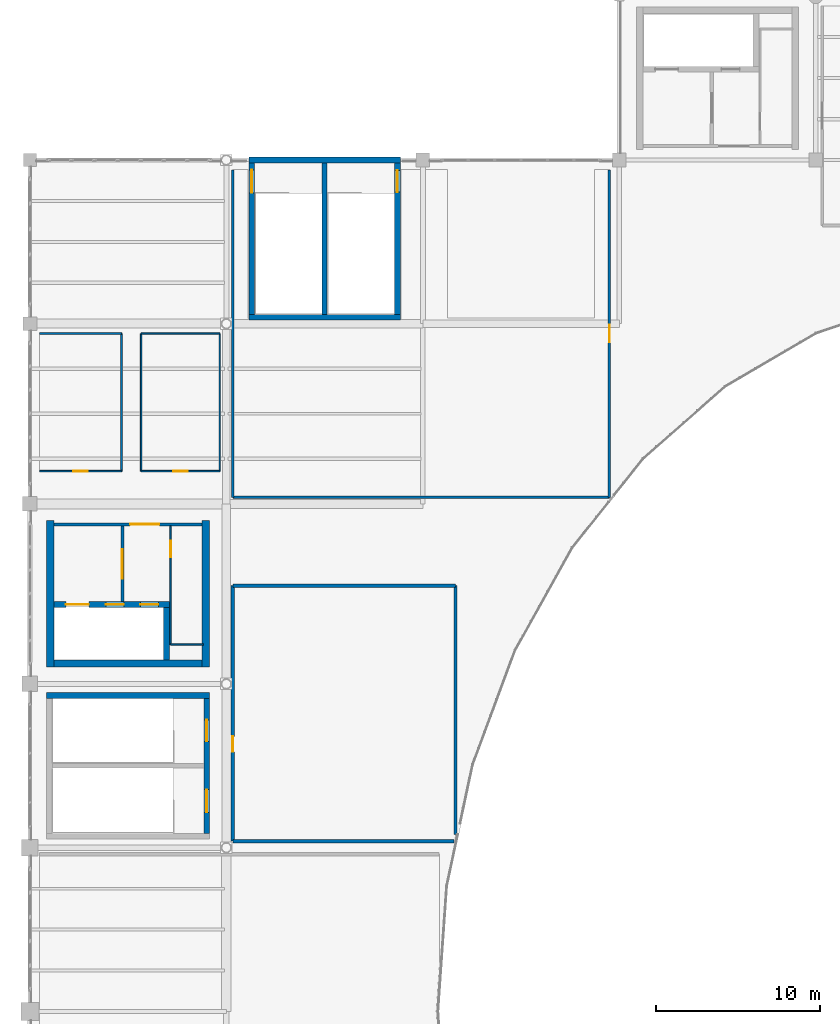
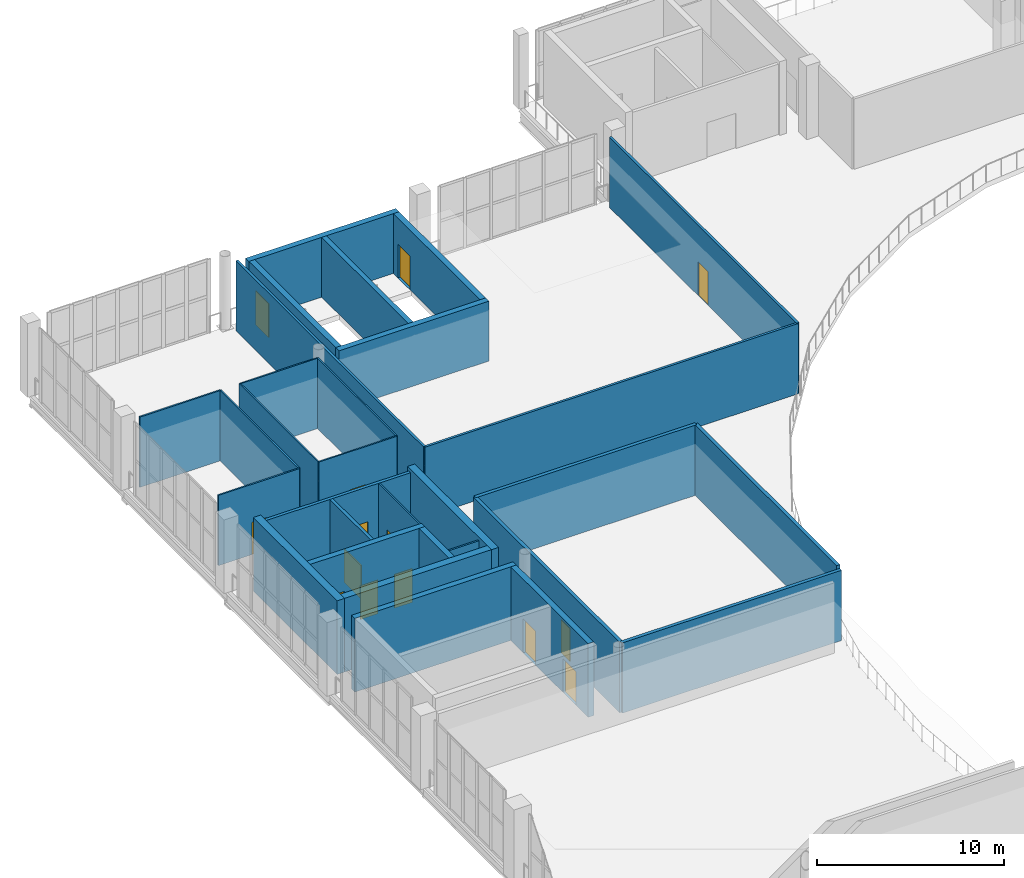
# One storey, part 39 of 49: 30 walls, 14 doors, 14 openings.
"""IFC4 building model written with IfcOpenShell, lengths in metres."""

from ifc_helpers import new_model, si_unit, direction, frame, frame_2d, origin, place, context, subcontext, project, spatial, rectangle, extrude, material, layer, layer_set, type_object, element, fill, save


model = new_model("IFC4")

# Units and contexts
model_context = context("Model", 3, precision=1e-05, world=origin(), true_north=direction((0.0, 1.0)))
body_context = subcontext(model_context, "Body", "Model", "MODEL_VIEW")
ifc_project = project(units=[si_unit("LENGTHUNIT", "METRE"), si_unit("AREAUNIT", "SQUARE_METRE"), si_unit("VOLUMEUNIT", "CUBIC_METRE"), si_unit("PLANEANGLEUNIT", "RADIAN"), si_unit("MASSUNIT", "GRAM", prefix="KILO")], contexts=[model_context])

# Site, building, storey
site_placement = place(None, origin())
site = spatial("IfcSite", under=ifc_project, at=site_placement, CompositionType="ELEMENT")
building_placement = place(site_placement, origin())
building = spatial("IfcBuilding", under=site, at=building_placement, Name="Brinegate Civic Arena", CompositionType="ELEMENT")
storey_placement = place(building_placement, frame((0.0, 0.0, 24.60009765625)))
storey = spatial("IfcBuildingStorey", under=building, at=storey_placement, Name="L05", CompositionType="ELEMENT", Elevation=24.60009765625)

# Wall
ifc_material_1 = material(Name="Concrete C50/60", Category="concrete")
ifc_layer_1 = layer(ifc_material_1, 0.35009765625, Name="Concrete C50/60")
ifc_layer_set_1 = layer_set([ifc_layer_1], Name="Concrete C50/60")
wall_type_1 = type_object("IfcWallType", Name="WALL-CORE-SHEAR-350", PredefinedType="SHEAR", material=ifc_layer_set_1)
wall_1_placement = place(storey_placement, frame((61.375, 104.39990234375, 0.0), z_axis=(0.0, 0.0, 1.0), x_axis=(1.0, 0.0, 0.0)))
element("IfcWall", 1, at=wall_1_placement, inside=storey, type_object=wall_type_1, Name="Stair ST-01 South Shear Wall L05 (WBB-27)", PredefinedType="SHEAR", context=body_context, shape_type="SweptSolid", body=[
    extrude(rectangle(XDim=9.25, YDim=0.35009765625, at=frame_2d((4.625, 0.0))), origin(), (0.0, 0.0, 1.0), 3.89990234375),
])

# Wall, opening, door
wall_2_placement = place(storey_placement, frame((61.550048828125, 104.574951171875, 0.0), z_axis=(0.0, 0.0, 1.0), x_axis=(0.0, 1.0, 0.0)))
wall_2 = element("IfcWall", 2, at=wall_2_placement, inside=storey, type_object=wall_type_1, Name="Stair ST-01 West Shear Wall L05 (WBB-29)", PredefinedType="SHEAR", context=body_context, shape_type="SweptSolid", body=[
    extrude(rectangle(XDim=9.25, YDim=0.35009765625, at=frame_2d((4.625, 0.0))), origin(), (0.0, 0.0, 1.0), 3.89990234375),
])
opening_1_placement = place(wall_2_placement, frame((7.425048828125, 0.0, 0.0)))
opening_1 = element("IfcOpeningElement", 3, at=opening_1_placement, cuts=wall_2, Name="Opening D-ST01A-L05", PredefinedType="OPENING", context=body_context, shape_type="SweptSolid", body=[
    extrude(rectangle(XDim=1.39990234375, YDim=2.199951171875, at=frame_2d((0.699951171875, 1.10009765625))), frame((0.0, 0.18505859375, 0.0), z_axis=(0.0, -1.0, 0.0), x_axis=(1.0, 0.0, 0.0)), (0.0, 0.0, 1.0), 0.3701171875),
])
ifc_material_2 = material(Name="Galvanized hurricane steel", Category="steel")
door_type_1 = type_object("IfcDoorType", Name="DOOR-STAIR-2400X2200", OperationType="NOTDEFINED", PredefinedType="DOOR", material=ifc_material_2)
door_1_placement = place(opening_1_placement, frame((1.39990234375, 0.0, 0.0), z_axis=(0.0, 0.0, 1.0), x_axis=(-1.0, 0.0, 0.0)))
door_1 = element("IfcDoor", 4, at=door_1_placement, inside=storey, type_object=door_type_1, Name="Protected Exit Stair Door D-ST01A-L05", OperationType="DOUBLE_DOOR_SINGLE_SWING", OverallHeight=2.199951171875, OverallWidth=1.39990234375, PredefinedType="DOOR", context=body_context, shape_type="SweptSolid", body=[
    extrude(rectangle(XDim=1.39990234375, YDim=2.199951171875, at=frame_2d((0.699951171875, 1.10009765625))), frame((0.0, 0.02490234375, 0.0), z_axis=(0.0, -1.0, 0.0), x_axis=(1.0, 0.0, 0.0)), (0.0, 0.0, 1.0), 0.050048828125),
])
fill(opening_1, door_1)

wall_3_placement = place(storey_placement, frame((70.449951171875, 104.574951171875, 0.0), z_axis=(0.0, 0.0, 1.0), x_axis=(0.0, 1.0, 0.0)))
wall_3 = element("IfcWall", 5, at=wall_3_placement, inside=storey, type_object=wall_type_1, Name="Stair ST-01 East Shear Wall L05 (WBB-30)", PredefinedType="SHEAR", context=body_context, shape_type="SweptSolid", body=[
    extrude(rectangle(XDim=9.25, YDim=0.35009765625, at=frame_2d((4.625, 0.0))), origin(), (0.0, 0.0, 1.0), 3.89990234375),
])
opening_2_placement = place(wall_3_placement, frame((7.465087890625, 0.0, 0.0)))
opening_2 = element("IfcOpeningElement", 6, at=opening_2_placement, cuts=wall_3, Name="Opening D-ST01B-L05", PredefinedType="OPENING", context=body_context, shape_type="SweptSolid", body=[
    extrude(rectangle(XDim=1.320068359375, YDim=2.199951171875, at=frame_2d((0.66015625, 1.10009765625))), frame((0.0, 0.18505859375, 0.0), z_axis=(0.0, -1.0, 0.0), x_axis=(1.0, 0.0, 0.0)), (0.0, 0.0, 1.0), 0.3701171875),
])
door_type_2 = type_object("IfcDoorType", Name="DOOR-STAIR-2200X2200", OperationType="NOTDEFINED", PredefinedType="DOOR", material=ifc_material_2)
door_2_placement = place(opening_2_placement, origin())
door_2 = element("IfcDoor", 7, at=door_2_placement, inside=storey, type_object=door_type_2, Name="Protected Exit Stair Door D-ST01B-L05", OperationType="DOUBLE_DOOR_SINGLE_SWING", OverallHeight=2.199951171875, OverallWidth=1.320068359375, PredefinedType="DOOR", context=body_context, shape_type="SweptSolid", body=[
    extrude(rectangle(XDim=1.320068359375, YDim=2.199951171875, at=frame_2d((0.66015625, 1.10009765625))), frame((0.0, 0.02490234375, 0.0), z_axis=(0.0, -1.0, 0.0), x_axis=(1.0, 0.0, 0.0)), (0.0, 0.0, 1.0), 0.050048828125),
])
fill(opening_2, door_2)

# Wall
wall_4_placement = place(storey_placement, frame((49.02490234375, 81.300048828125, 0.0), z_axis=(0.0, 0.0, 1.0), x_axis=(1.0, 0.0, 0.0)))
element("IfcWall", 8, at=wall_4_placement, inside=storey, type_object=wall_type_1, Name="Stair ST-07 North Shear Wall L05 (WBC-94)", PredefinedType="SHEAR", context=body_context, shape_type="SweptSolid", body=[
    extrude(rectangle(XDim=9.9501953125, YDim=0.35009765625, at=frame_2d((4.97509765625, 0.0))), origin(), (0.0, 0.0, 1.0), 4.7998046875),
])

# Wall, openings, doors
wall_5_placement = place(storey_placement, frame((58.800048828125, 72.875, 0.0), z_axis=(0.0, 0.0, 1.0), x_axis=(0.0, 1.0, 0.0)))
wall_5 = element("IfcWall", 9, at=wall_5_placement, inside=storey, type_object=wall_type_1, Name="Stair ST-07 East Shear Wall L05 (WBC-96)", PredefinedType="SHEAR", context=body_context, shape_type="SweptSolid", body=[
    extrude(rectangle(XDim=8.25, YDim=0.35009765625, at=frame_2d((4.125, 0.0))), origin(), (0.0, 0.0, 1.0), 4.7998046875),
])
opening_3_placement = place(wall_5_placement, frame((1.27490234375, 0.0, 0.0)))
opening_3 = element("IfcOpeningElement", 10, at=opening_3_placement, cuts=wall_5, Name="Opening D-ST07A-L05", PredefinedType="OPENING", context=body_context, shape_type="SweptSolid", body=[
    extrude(rectangle(XDim=1.39990234375, YDim=2.199951171875, at=frame_2d((0.699951171875, 1.10009765625))), frame((0.0, 0.18505859375, 0.0), z_axis=(0.0, -1.0, 0.0), x_axis=(1.0, 0.0, 0.0)), (0.0, 0.0, 1.0), 0.3701171875),
])
opening_4_placement = place(wall_5_placement, frame((5.614990234375, 0.0, 0.0)))
opening_4 = element("IfcOpeningElement", 11, at=opening_4_placement, cuts=wall_5, Name="Opening D-ST07B-L05", PredefinedType="OPENING", context=body_context, shape_type="SweptSolid", body=[
    extrude(rectangle(XDim=1.320068359375, YDim=2.199951171875, at=frame_2d((0.66015625, 1.10009765625))), frame((0.0, 0.18505859375, 0.0), z_axis=(0.0, -1.0, 0.0), x_axis=(1.0, 0.0, 0.0)), (0.0, 0.0, 1.0), 0.3701171875),
])
door_3_placement = place(opening_4_placement, origin())
door_3 = element("IfcDoor", 12, at=door_3_placement, inside=storey, type_object=door_type_2, Name="Protected Exit Stair Door D-ST07B-L05", OperationType="DOUBLE_DOOR_SINGLE_SWING", OverallHeight=2.199951171875, OverallWidth=1.320068359375, PredefinedType="DOOR", context=body_context, shape_type="SweptSolid", body=[
    extrude(rectangle(XDim=1.320068359375, YDim=2.199951171875, at=frame_2d((0.66015625, 1.10009765625))), frame((0.0, 0.02490234375, 0.0), z_axis=(0.0, -1.0, 0.0), x_axis=(1.0, 0.0, 0.0)), (0.0, 0.0, 1.0), 0.050048828125),
])
fill(opening_4, door_3)
door_4_placement = place(opening_3_placement, origin())
door_4 = element("IfcDoor", 13, at=door_4_placement, inside=storey, type_object=door_type_1, Name="Protected Exit Stair Door D-ST07A-L05", OperationType="DOUBLE_DOOR_SINGLE_SWING", OverallHeight=2.199951171875, OverallWidth=1.39990234375, PredefinedType="DOOR", context=body_context, shape_type="SweptSolid", body=[
    extrude(rectangle(XDim=1.39990234375, YDim=2.199951171875, at=frame_2d((0.699951171875, 1.10009765625))), frame((0.0, 0.02490234375, 0.0), z_axis=(0.0, -1.0, 0.0), x_axis=(1.0, 0.0, 0.0)), (0.0, 0.0, 1.0), 0.050048828125),
])
fill(opening_3, door_4)

wall_6_placement = place(storey_placement, frame((49.47509765625, 86.85009765625, 0.0), z_axis=(0.0, 0.0, 1.0), x_axis=(1.0, 0.0, 0.0)))
wall_6 = element("IfcWall", 14, at=wall_6_placement, inside=storey, type_object=wall_type_1, Name="Core K1 Lift Shaft Front Wall L05 (WBF-84)", PredefinedType="SHEAR", context=body_context, shape_type="SweptSolid", body=[
    extrude(rectangle(XDim=7.0498046875, YDim=0.35009765625, at=frame_2d((3.52490234375, 0.0))), origin(), (0.0, 0.0, 1.0), 4.7998046875),
])
opening_5_placement = place(wall_6_placement, frame((0.72509765625, 0.0, 0.0)))
opening_5 = element("IfcOpeningElement", 15, at=opening_5_placement, cuts=wall_6, Name="Opening LD-FL1-L05", PredefinedType="OPENING", context=body_context, shape_type="SweptSolid", body=[
    extrude(rectangle(XDim=1.39990234375, YDim=2.300048828125, at=frame_2d((0.699951171875, 1.14990234375))), frame((0.0, 0.18505859375, 0.0), z_axis=(0.0, -1.0, 0.0), x_axis=(1.0, 0.0, 0.0)), (0.0, 0.0, 1.0), 0.3701171875),
])
opening_6_placement = place(wall_6_placement, frame((3.175048828125, 0.0, 0.0)))
opening_6 = element("IfcOpeningElement", 16, at=opening_6_placement, cuts=wall_6, Name="Opening LD-PL1-L05", PredefinedType="OPENING", context=body_context, shape_type="SweptSolid", body=[
    extrude(rectangle(XDim=1.10009765625, YDim=2.199951171875, at=frame_2d((0.550048828125, 1.10009765625))), frame((0.0, 0.18505859375, 0.0), z_axis=(0.0, -1.0, 0.0), x_axis=(1.0, 0.0, 0.0)), (0.0, 0.0, 1.0), 0.3701171875),
])
opening_7_placement = place(wall_6_placement, frame((5.27490234375, 0.0, 0.0)))
opening_7 = element("IfcOpeningElement", 17, at=opening_7_placement, cuts=wall_6, Name="Opening LD-PL2-L05", PredefinedType="OPENING", context=body_context, shape_type="SweptSolid", body=[
    extrude(rectangle(XDim=1.10009765625, YDim=2.199951171875, at=frame_2d((0.550048828125, 1.10009765625))), frame((0.0, 0.18505859375, 0.0), z_axis=(0.0, -1.0, 0.0), x_axis=(1.0, 0.0, 0.0)), (0.0, 0.0, 1.0), 0.3701171875),
])
ifc_material_3 = material(Name="Architectural stainless steel balustrade", Category="steel")
door_type_3 = type_object("IfcDoorType", Name="DOOR-LIFT-1100X2200", OperationType="SLIDING_TO_LEFT", PredefinedType="DOOR", material=ifc_material_3)
door_5_placement = place(opening_6_placement, origin())
door_5 = element("IfcDoor", 18, at=door_5_placement, inside=storey, type_object=door_type_3, Name="Sliding Lift Landing Door LD-PL1-L05", OperationType="SLIDING_TO_LEFT", OverallHeight=2.199951171875, OverallWidth=1.10009765625, PredefinedType="DOOR", context=body_context, shape_type="SweptSolid", body=[
    extrude(rectangle(XDim=1.10009765625, YDim=2.199951171875, at=frame_2d((0.550048828125, 1.10009765625))), frame((0.0, 0.02490234375, 0.0), z_axis=(0.0, -1.0, 0.0), x_axis=(1.0, 0.0, 0.0)), (0.0, 0.0, 1.0), 0.050048828125),
])
fill(opening_6, door_5)
door_6_placement = place(opening_7_placement, origin())
door_6 = element("IfcDoor", 19, at=door_6_placement, inside=storey, type_object=door_type_3, Name="Sliding Lift Landing Door LD-PL2-L05", OperationType="SLIDING_TO_LEFT", OverallHeight=2.199951171875, OverallWidth=1.10009765625, PredefinedType="DOOR", context=body_context, shape_type="SweptSolid", body=[
    extrude(rectangle(XDim=1.10009765625, YDim=2.199951171875, at=frame_2d((0.550048828125, 1.10009765625))), frame((0.0, 0.02490234375, 0.0), z_axis=(0.0, -1.0, 0.0), x_axis=(1.0, 0.0, 0.0)), (0.0, 0.0, 1.0), 0.050048828125),
])
fill(opening_7, door_6)
door_type_4 = type_object("IfcDoorType", Name="DOOR-LIFT-1400X2300", OperationType="SLIDING_TO_LEFT", PredefinedType="DOOR", material=ifc_material_3)
door_7_placement = place(opening_5_placement, origin())
door_7 = element("IfcDoor", 20, at=door_7_placement, inside=storey, type_object=door_type_4, Name="Sliding Lift Landing Door LD-FL1-L05", OperationType="SLIDING_TO_LEFT", OverallHeight=2.300048828125, OverallWidth=1.39990234375, PredefinedType="DOOR", context=body_context, shape_type="SweptSolid", body=[
    extrude(rectangle(XDim=1.39990234375, YDim=2.300048828125, at=frame_2d((0.699951171875, 1.14990234375))), frame((0.0, 0.02490234375, 0.0), z_axis=(0.0, -1.0, 0.0), x_axis=(1.0, 0.0, 0.0)), (0.0, 0.0, 1.0), 0.050048828125),
])
fill(opening_5, door_7)

# Walls
wall_7_placement = place(storey_placement, frame((56.35009765625, 83.47509765625, 0.0), z_axis=(0.0, 0.0, 1.0), x_axis=(0.0, 1.0, 0.0)))
element("IfcWall", 21, at=wall_7_placement, inside=storey, type_object=wall_type_1, Name="Core K1 Lift Shaft End Wall L05 (WBF-85)", PredefinedType="SHEAR", context=body_context, shape_type="SweptSolid", body=[
    extrude(rectangle(XDim=3.199951171875, YDim=0.35009765625, at=frame_2d((1.60009765625, 0.0))), origin(), (0.0, 0.0, 1.0), 4.7998046875),
])
ifc_layer_2 = layer(ifc_material_1, 0.449951171875, Name="Concrete C50/60")
ifc_layer_set_2 = layer_set([ifc_layer_2], Name="Concrete C50/60")
wall_type_2 = type_object("IfcWallType", Name="WALL-CORE-SHEAR-450", PredefinedType="SHEAR", material=ifc_layer_set_2)
for number, where, z_axis, x_axis, name in (
    (22, (49.25, 83.02490234375, 0.0), (0.0, 0.0, 1.0), (0.0, 1.0, 0.0), "Core K1 West Shear Wall L05 (WBF-81)"),
    (23, (58.75, 83.02490234375, 0.0), (0.0, 0.0, 1.0), (0.0, 1.0, 0.0), "Core K1 East Shear Wall L05 (WBF-82)"),
):
    element("IfcWall", number, at=place(storey_placement, frame(where, z_axis=z_axis, x_axis=x_axis)), inside=storey, type_object=wall_type_2, Name=name, PredefinedType="SHEAR", context=body_context, shape_type="SweptSolid", body=[
        extrude(rectangle(XDim=8.9501953125, YDim=0.449951171875, at=frame_2d((4.47509765625, 0.0))), origin(), (0.0, 0.0, 1.0), 4.7998046875),
    ])
wall_8_placement = place(storey_placement, frame((49.47509765625, 83.25, 0.0), z_axis=(0.0, 0.0, 1.0), x_axis=(1.0, 0.0, 0.0)))
element("IfcWall", 24, at=wall_8_placement, inside=storey, type_object=wall_type_2, Name="Core K1 South Shear Wall L05 (WBF-83)", PredefinedType="SHEAR", context=body_context, shape_type="SweptSolid", body=[
    extrude(rectangle(XDim=9.0498046875, YDim=0.449951171875, at=frame_2d((4.52490234375, 0.0))), origin(), (0.0, 0.0, 1.0), 4.7998046875),
])
ifc_layer_3 = layer(ifc_material_1, 0.35009765625, Name="Concrete C50/60")
ifc_layer_set_3 = layer_set([ifc_layer_3], Name="Concrete C50/60")
wall_type_3 = type_object("IfcWallType", Name="WALL-EXT-STAIR-SHEAR-350", PredefinedType="SHEAR", material=ifc_layer_set_3)
wall_9_placement = place(storey_placement, frame((61.375, 114.0, 0.0), z_axis=(0.0, 0.0, 1.0), x_axis=(1.0, 0.0, 0.0)))
element("IfcWall", 25, at=wall_9_placement, inside=storey, type_object=wall_type_3, Name="Stair ST-01 North Shear Wall L05 (WBB-28)", PredefinedType="SHEAR", context=body_context, shape_type="SweptSolid", body=[
    extrude(rectangle(XDim=9.25, YDim=0.35009765625, at=frame_2d((4.625, 0.0))), origin(), (0.0, 0.0, 1.0), 3.89990234375),
])
ifc_material_4 = material(Name="Concrete C40/50", Category="concrete")
ifc_layer_4 = layer(ifc_material_4, 0.2099609375, Name="Concrete C40/50")
ifc_layer_set_4 = layer_set([ifc_layer_4], Name="Concrete C40/50")
wall_type_4 = type_object("IfcWallType", Name="WALL-INT-SOLID-210", PredefinedType="SOLIDWALL", material=ifc_layer_set_4)
wall_10_placement = place(storey_placement, frame((60.39990234375, 88.0, 0.0), z_axis=(0.0, 0.0, 1.0), x_axis=(1.0, 0.0, 0.0)))
element("IfcWall", 26, at=wall_10_placement, inside=storey, type_object=wall_type_4, Name="International Television Commentary Booths Partition Wall E1 (WBK-51)", PredefinedType="SOLIDWALL", context=body_context, shape_type="SweptSolid", body=[
    extrude(rectangle(XDim=13.60009765625, YDim=0.2099609375, at=frame_2d((6.800048828125, 0.0))), origin(), (0.0, 0.0, 1.0), 4.579833984375),
])
wall_11_placement = place(storey_placement, frame((74.0, 88.0, 0.0), z_axis=(0.0, 0.0, 1.0), x_axis=(0.0, -1.0, 0.0)))
element("IfcWall", 27, at=wall_11_placement, inside=storey, type_object=wall_type_4, Name="International Television Commentary Booths Partition Wall E2 (WBK-52)", PredefinedType="SOLIDWALL", context=body_context, shape_type="SweptSolid", body=[
    extrude(rectangle(XDim=15.2041015625, YDim=0.2099609375, at=frame_2d((7.60205078125, 0.0))), origin(), (0.0, 0.0, 1.0), 4.579833984375),
])
wall_12_placement = place(storey_placement, frame((73.916015625, 72.39990234375, 0.0), z_axis=(0.0, 0.0, 1.0), x_axis=(-1.0, 0.0, 0.0)))
element("IfcWall", 28, at=wall_12_placement, inside=storey, type_object=wall_type_4, Name="International Television Commentary Booths Partition Wall E4 (WBK-53)", PredefinedType="SOLIDWALL", context=body_context, shape_type="SweptSolid", body=[
    extrude(rectangle(XDim=13.51611328125, YDim=0.2099609375, at=frame_2d((6.758056640625, 0.0))), origin(), (0.0, 0.0, 1.0), 4.579833984375),
])

# Wall, opening, door
wall_13_placement = place(storey_placement, frame((60.39990234375, 72.39990234375, 0.0), z_axis=(0.0, 0.0, 1.0), x_axis=(0.0, 1.0, 0.0)))
wall_13 = element("IfcWall", 29, at=wall_13_placement, inside=storey, type_object=wall_type_4, Name="International Television Commentary Booths Partition Wall E5 (WBK-54)", PredefinedType="SOLIDWALL", context=body_context, shape_type="SweptSolid", body=[
    extrude(rectangle(XDim=15.60009765625, YDim=0.2099609375, at=frame_2d((7.800048828125, 0.0))), origin(), (0.0, 0.0, 1.0), 4.579833984375),
])
opening_8_placement = place(wall_13_placement, frame((5.452880859375, 0.0, 0.0)))
opening_8 = element("IfcOpeningElement", 30, at=opening_8_placement, cuts=wall_13, Name="Opening D-L05-223", PredefinedType="OPENING", context=body_context, shape_type="SweptSolid", body=[
    extrude(rectangle(XDim=0.949951171875, YDim=2.14990234375, at=frame_2d((0.47509765625, 1.074951171875))), frame((0.0, 0.114990234375, 0.0), z_axis=(0.0, -1.0, 0.0), x_axis=(1.0, 0.0, 0.0)), (0.0, 0.0, 1.0), 0.22998046875),
])
ifc_material_5 = material(Name="Hardwood acoustic timber door", Category="wood")
door_type_5 = type_object("IfcDoorType", Name="DOOR-OFFICE-950X2150", OperationType="NOTDEFINED", PredefinedType="DOOR", material=ifc_material_5)
door_8_placement = place(opening_8_placement, origin())
door_8 = element("IfcDoor", 31, at=door_8_placement, inside=storey, type_object=door_type_5, Name="International Television Commentary Booths Door D-L05-223", OperationType="SINGLE_SWING_RIGHT", OverallHeight=2.14990234375, OverallWidth=0.949951171875, PredefinedType="DOOR", context=body_context, shape_type="SweptSolid", body=[
    extrude(rectangle(XDim=0.949951171875, YDim=2.14990234375, at=frame_2d((0.47509765625, 1.074951171875))), frame((0.0, 0.02490234375, 0.0), z_axis=(0.0, -1.0, 0.0), x_axis=(1.0, 0.0, 0.0)), (0.0, 0.0, 1.0), 0.050048828125),
])
fill(opening_8, door_8)

# Wall
ifc_material_6 = material(Name="Fire-rated gypsum partition assembly")
ifc_layer_5 = layer(ifc_material_6, 0.090087890625, Name="Fire-rated gypsum partition assembly")
ifc_layer_set_5 = layer_set([ifc_layer_5], Name="Fire-rated gypsum partition assembly")
wall_type_5 = type_object("IfcWallType", Name="WALL-PART-LIGHT-090", PredefinedType="PARTITIONING", material=ifc_layer_set_5)
wall_14_placement = place(storey_placement, frame((59.60009765625, 103.39990234375, 0.0), z_axis=(0.0, 0.0, 1.0), x_axis=(0.0, -1.0, 0.0)))
element("IfcWall", 32, at=wall_14_placement, inside=storey, type_object=wall_type_5, Name="Media Level Female Toilet Partition Wall E1 (WBK-71)", PredefinedType="PARTITIONING", context=body_context, shape_type="SweptSolid", body=[
    extrude(rectangle(XDim=8.39990234375, YDim=0.090087890625, at=frame_2d((4.199951171875, 0.0))), origin(), (0.0, 0.0, 1.0), 4.579833984375),
])

# Wall, opening, door
wall_15_placement = place(storey_placement, frame((59.60009765625, 95.0, 0.0), z_axis=(0.0, 0.0, 1.0), x_axis=(-1.0, 0.0, 0.0)))
wall_15 = element("IfcWall", 33, at=wall_15_placement, inside=storey, type_object=wall_type_5, Name="Media Level Female Toilet Partition Wall E2 (WBK-72)", PredefinedType="PARTITIONING", context=body_context, shape_type="SweptSolid", body=[
    extrude(rectangle(XDim=4.800048828125, YDim=0.090087890625, at=frame_2d((2.39990234375, 0.0))), origin(), (0.0, 0.0, 1.0), 4.579833984375),
])
opening_9_placement = place(wall_15_placement, frame((1.949951171875, 0.0, 0.0)))
opening_9 = element("IfcOpeningElement", 34, at=opening_9_placement, cuts=wall_15, Name="Opening D-L05-230", PredefinedType="OPENING", context=body_context, shape_type="SweptSolid", body=[
    extrude(rectangle(XDim=0.89990234375, YDim=2.10009765625, at=frame_2d((0.449951171875, 1.050048828125))), frame((0.0, 0.054931640625, 0.0), z_axis=(0.0, -1.0, 0.0), x_axis=(1.0, 0.0, 0.0)), (0.0, 0.0, 1.0), 0.110107421875),
])
door_type_6 = type_object("IfcDoorType", Name="DOOR-WC-900X2100", OperationType="NOTDEFINED", PredefinedType="DOOR", material=ifc_material_5)
door_9_placement = place(opening_9_placement, origin())
door_9 = element("IfcDoor", 35, at=door_9_placement, inside=storey, type_object=door_type_6, Name="Media Level Female Toilet Door D-L05-230", OperationType="SINGLE_SWING_RIGHT", OverallHeight=2.10009765625, OverallWidth=0.89990234375, PredefinedType="DOOR", context=body_context, shape_type="SweptSolid", body=[
    extrude(rectangle(XDim=0.89990234375, YDim=2.10009765625, at=frame_2d((0.449951171875, 1.050048828125))), frame((0.0, 0.02490234375, 0.0), z_axis=(0.0, -1.0, 0.0), x_axis=(1.0, 0.0, 0.0)), (0.0, 0.0, 1.0), 0.050048828125),
])
fill(opening_9, door_9)

# Walls
wall_16_placement = place(storey_placement, frame((54.800048828125, 95.0, 0.0), z_axis=(0.0, 0.0, 1.0), x_axis=(0.0, 1.0, 0.0)))
element("IfcWall", 36, at=wall_16_placement, inside=storey, type_object=wall_type_5, Name="Media Level Female Toilet Partition Wall E3 (WBK-73)", PredefinedType="PARTITIONING", context=body_context, shape_type="SweptSolid", body=[
    extrude(rectangle(XDim=8.39990234375, YDim=0.090087890625, at=frame_2d((4.199951171875, 0.0))), origin(), (0.0, 0.0, 1.0), 4.579833984375),
])
wall_17_placement = place(storey_placement, frame((54.800048828125, 103.39990234375, 0.0), z_axis=(0.0, 0.0, 1.0), x_axis=(1.0, 0.0, 0.0)))
element("IfcWall", 37, at=wall_17_placement, inside=storey, type_object=wall_type_5, Name="Media Level Female Toilet Partition Wall E4 (WBK-74)", PredefinedType="PARTITIONING", context=body_context, shape_type="SweptSolid", body=[
    extrude(rectangle(XDim=4.800048828125, YDim=0.090087890625, at=frame_2d((2.39990234375, 0.0))), origin(), (0.0, 0.0, 1.0), 4.579833984375),
])

# Wall, opening, door
ifc_material_7 = material(Name="Concrete blockwork masonry", Category="masonry")
ifc_layer_6 = layer(ifc_material_7, 0.18994140625, Name="Concrete blockwork masonry")
ifc_layer_set_6 = layer_set([ifc_layer_6], Name="Concrete blockwork masonry")
wall_type_6 = type_object("IfcWallType", Name="WALL-PART-RATED-190", PredefinedType="PARTITIONING", material=ifc_layer_set_6)
wall_18_placement = place(storey_placement, frame((49.469970703125, 91.75, 0.0), z_axis=(0.0, 0.0, 1.0), x_axis=(1.0, 0.0, 0.0)))
wall_18 = element("IfcWall", 38, at=wall_18_placement, inside=storey, type_object=wall_type_6, Name="Core K1 Concourse Lobby Wall L05 (WBF-86)", PredefinedType="PARTITIONING", context=body_context, shape_type="SweptSolid", body=[
    extrude(rectangle(XDim=9.06005859375, YDim=0.18994140625, at=frame_2d((4.530029296875, 0.0))), origin(), (0.0, 0.0, 1.0), 4.579833984375),
])
opening_10_placement = place(wall_18_placement, frame((4.64990234375, 0.0, 0.0)))
opening_10 = element("IfcOpeningElement", 39, at=opening_10_placement, cuts=wall_18, Name="Opening D-K1L-L05", PredefinedType="OPENING", context=body_context, shape_type="SweptSolid", body=[
    extrude(rectangle(XDim=1.800048828125, YDim=2.300048828125, at=frame_2d((0.89990234375, 1.14990234375))), frame((0.0, 0.10498046875, 0.0), z_axis=(0.0, -1.0, 0.0), x_axis=(1.0, 0.0, 0.0)), (0.0, 0.0, 1.0), 0.2099609375),
])
ifc_material_8 = material(Name="Marine grade aluminium", Category="aluminium")
door_type_7 = type_object("IfcDoorType", Name="DOOR-CONC-1800X2300", OperationType="NOTDEFINED", PredefinedType="DOOR", material=ifc_material_8)
door_10_placement = place(opening_10_placement, origin())
door_10 = element("IfcDoor", 40, at=door_10_placement, inside=storey, type_object=door_type_7, Name="Lift Lobby Door D-K1L-L05", OperationType="DOUBLE_DOOR_SINGLE_SWING", OverallHeight=2.300048828125, OverallWidth=1.800048828125, PredefinedType="DOOR", context=body_context, shape_type="SweptSolid", body=[
    extrude(rectangle(XDim=1.800048828125, YDim=2.300048828125, at=frame_2d((0.89990234375, 1.14990234375))), frame((0.0, 0.02490234375, 0.0), z_axis=(0.0, -1.0, 0.0), x_axis=(1.0, 0.0, 0.0)), (0.0, 0.0, 1.0), 0.050048828125),
])
fill(opening_10, door_10)

wall_19_placement = place(storey_placement, frame((53.64990234375, 87.02490234375, 0.0), z_axis=(0.0, 0.0, 1.0), x_axis=(0.0, 1.0, 0.0)))
wall_19 = element("IfcWall", 41, at=wall_19_placement, inside=storey, type_object=wall_type_6, Name="Firefighting Lobby K1 Wall L05 (WBF-87)", PredefinedType="PARTITIONING", context=body_context, shape_type="SweptSolid", body=[
    extrude(rectangle(XDim=4.625, YDim=0.18994140625, at=frame_2d((2.3125, 0.0))), origin(), (0.0, 0.0, 1.0), 4.579833984375),
])
opening_11_placement = place(wall_19_placement, frame((1.4130859375, 0.0, 0.0)))
opening_11 = element("IfcOpeningElement", 42, at=opening_11_placement, cuts=wall_19, Name="Opening D-K1F-L05", PredefinedType="OPENING", context=body_context, shape_type="SweptSolid", body=[
    extrude(rectangle(XDim=1.800048828125, YDim=2.199951171875, at=frame_2d((0.89990234375, 1.10009765625))), frame((0.0, 0.10498046875, 0.0), z_axis=(0.0, -1.0, 0.0), x_axis=(1.0, 0.0, 0.0)), (0.0, 0.0, 1.0), 0.2099609375),
])
door_type_8 = type_object("IfcDoorType", Name="DOOR-FFLOB-1800X2200", OperationType="NOTDEFINED", PredefinedType="DOOR", material=ifc_material_2)
door_11_placement = place(opening_11_placement, origin())
door_11 = element("IfcDoor", 43, at=door_11_placement, inside=storey, type_object=door_type_8, Name="Firefighting Lift Lobby Door D-K1F-L05", OperationType="DOUBLE_DOOR_SINGLE_SWING", OverallHeight=2.199951171875, OverallWidth=1.800048828125, PredefinedType="DOOR", context=body_context, shape_type="SweptSolid", body=[
    extrude(rectangle(XDim=1.800048828125, YDim=2.199951171875, at=frame_2d((0.89990234375, 1.10009765625))), frame((0.0, 0.02490234375, 0.0), z_axis=(0.0, -1.0, 0.0), x_axis=(1.0, 0.0, 0.0)), (0.0, 0.0, 1.0), 0.050048828125),
])
fill(opening_11, door_11)

ifc_layer_7 = layer(ifc_material_6, 0.14501953125, Name="Fire-rated gypsum partition assembly")
ifc_layer_set_7 = layer_set([ifc_layer_7], Name="Fire-rated gypsum partition assembly")
wall_type_7 = type_object("IfcWallType", Name="WALL-PART-SUITE-145", PredefinedType="PARTITIONING", material=ifc_layer_set_7)
wall_20_placement = place(storey_placement, frame((83.39990234375, 113.39990234375, 0.0), z_axis=(0.0, 0.0, 1.0), x_axis=(0.0, -1.0, 0.0)))
wall_20 = element("IfcWall", 44, at=wall_20_placement, inside=storey, type_object=wall_type_7, Name="Accredited Media Workroom and Dining Lounge Partition Wall E30 (WBK-61)", PredefinedType="PARTITIONING", context=body_context, shape_type="SweptSolid", body=[
    extrude(rectangle(XDim=20.0, YDim=0.14501953125, at=frame_2d((10.0, 0.0))), origin(), (0.0, 0.0, 1.0), 4.579833984375),
])
opening_12_placement = place(wall_20_placement, frame((9.47509765625, 0.0, 0.0)))
opening_12 = element("IfcOpeningElement", 45, at=opening_12_placement, cuts=wall_20, Name="Opening D-L05-226", PredefinedType="OPENING", context=body_context, shape_type="SweptSolid", body=[
    extrude(rectangle(XDim=1.050048828125, YDim=2.199951171875, at=frame_2d((0.52490234375, 1.10009765625))), frame((0.0, 0.08251953125, 0.0), z_axis=(0.0, -1.0, 0.0), x_axis=(1.0, 0.0, 0.0)), (0.0, 0.0, 1.0), 0.1650390625),
])
door_type_9 = type_object("IfcDoorType", Name="DOOR-SUITE-1050X2200", OperationType="NOTDEFINED", PredefinedType="DOOR", material=ifc_material_5)
door_12_placement = place(opening_12_placement, origin())
door_12 = element("IfcDoor", 46, at=door_12_placement, inside=storey, type_object=door_type_9, Name="Accredited Media Workroom and Dining Lounge Door D-L05-226", OperationType="SINGLE_SWING_LEFT", OverallHeight=2.199951171875, OverallWidth=1.050048828125, PredefinedType="DOOR", context=body_context, shape_type="SweptSolid", body=[
    extrude(rectangle(XDim=1.050048828125, YDim=2.199951171875, at=frame_2d((0.52490234375, 1.10009765625))), frame((0.0, 0.02490234375, 0.0), z_axis=(0.0, -1.0, 0.0), x_axis=(1.0, 0.0, 0.0)), (0.0, 0.0, 1.0), 0.050048828125),
])
fill(opening_12, door_12)

# Walls
wall_21_placement = place(storey_placement, frame((83.39990234375, 93.39990234375, 0.0), z_axis=(0.0, 0.0, 1.0), x_axis=(-1.0, 0.0, 0.0)))
element("IfcWall", 47, at=wall_21_placement, inside=storey, type_object=wall_type_7, Name="Accredited Media Workroom and Dining Lounge Partition Wall E31 (WBK-62)", PredefinedType="PARTITIONING", context=body_context, shape_type="SweptSolid", body=[
    extrude(rectangle(XDim=23.0, YDim=0.14501953125, at=frame_2d((11.5, 0.0))), origin(), (0.0, 0.0, 1.0), 4.579833984375),
])
wall_22_placement = place(storey_placement, frame((60.39990234375, 93.39990234375, 0.0), z_axis=(0.0, 0.0, 1.0), x_axis=(0.0, 1.0, 0.0)))
element("IfcWall", 48, at=wall_22_placement, inside=storey, type_object=wall_type_7, Name="Accredited Media Workroom and Dining Lounge Partition Wall E32 (WBK-63)", PredefinedType="PARTITIONING", context=body_context, shape_type="SweptSolid", body=[
    extrude(rectangle(XDim=20.0, YDim=0.14501953125, at=frame_2d((10.0, 0.0))), origin(), (0.0, 0.0, 1.0), 4.579833984375),
])

# Wall, opening, door
ifc_layer_8 = layer(ifc_material_7, 0.10009765625, Name="Concrete blockwork masonry")
ifc_layer_set_8 = layer_set([ifc_layer_8], Name="Concrete blockwork masonry")
wall_type_8 = type_object("IfcWallType", Name="WALL-PART-WET-100", PredefinedType="PARTITIONING", material=ifc_layer_set_8)
wall_23_placement = place(storey_placement, frame((56.60009765625, 84.39990234375, 0.0), z_axis=(0.0, 0.0, 1.0), x_axis=(0.0, 1.0, 0.0)))
wall_23 = element("IfcWall", 49, at=wall_23_placement, inside=storey, type_object=wall_type_8, Name="Accessible WC K1 Partition L05 (WBF-88)", PredefinedType="PARTITIONING", context=body_context, shape_type="SweptSolid", body=[
    extrude(rectangle(XDim=7.25, YDim=0.10009765625, at=frame_2d((3.625, 0.0))), origin(), (0.0, 0.0, 1.0), 4.579833984375),
])
opening_13_placement = place(wall_23_placement, frame((5.35009765625, 0.0, 0.0)))
opening_13 = element("IfcOpeningElement", 50, at=opening_13_placement, cuts=wall_23, Name="Opening D-K1W-L05", PredefinedType="OPENING", context=body_context, shape_type="SweptSolid", body=[
    extrude(rectangle(XDim=1.0, YDim=2.10009765625, at=frame_2d((0.5, 1.050048828125))), frame((0.0, 0.06005859375, 0.0), z_axis=(0.0, -1.0, 0.0), x_axis=(1.0, 0.0, 0.0)), (0.0, 0.0, 1.0), 0.1201171875),
])
door_type_10 = type_object("IfcDoorType", Name="DOOR-AWC-1000X2100", OperationType="NOTDEFINED", PredefinedType="DOOR", material=ifc_material_5)
door_13_placement = place(opening_13_placement, origin())
door_13 = element("IfcDoor", 51, at=door_13_placement, inside=storey, type_object=door_type_10, Name="Accessible WC Door D-K1W-L05", OperationType="SINGLE_SWING_RIGHT", OverallHeight=2.10009765625, OverallWidth=1.0, PredefinedType="DOOR", context=body_context, shape_type="SweptSolid", body=[
    extrude(rectangle(XDim=1.0, YDim=2.10009765625, at=frame_2d((0.5, 1.050048828125))), frame((0.0, 0.02490234375, 0.0), z_axis=(0.0, -1.0, 0.0), x_axis=(1.0, 0.0, 0.0)), (0.0, 0.0, 1.0), 0.050048828125),
])
fill(opening_13, door_13)

# Walls
wall_24_placement = place(storey_placement, frame((56.60009765625, 84.39990234375, 0.0), z_axis=(0.0, 0.0, 1.0), x_axis=(1.0, 0.0, 0.0)))
element("IfcWall", 52, at=wall_24_placement, inside=storey, type_object=wall_type_8, Name="Accessible WC K1 Back Partition L05 (WBF-89)", PredefinedType="PARTITIONING", context=body_context, shape_type="SweptSolid", body=[
    extrude(rectangle(XDim=2.0, YDim=0.10009765625, at=frame_2d((1.0, 0.0))), origin(), (0.0, 0.0, 1.0), 4.579833984375),
])
wall_25_placement = place(storey_placement, frame((53.60009765625, 103.39990234375, 0.0), z_axis=(0.0, 0.0, 1.0), x_axis=(0.0, -1.0, 0.0)))
element("IfcWall", 53, at=wall_25_placement, inside=storey, type_object=wall_type_8, Name="Media Level Male Toilet Partition Wall E1 (WBK-68)", PredefinedType="PARTITIONING", context=body_context, shape_type="SweptSolid", body=[
    extrude(rectangle(XDim=8.39990234375, YDim=0.10009765625, at=frame_2d((4.199951171875, 0.0))), origin(), (0.0, 0.0, 1.0), 4.579833984375),
])

# Wall, opening, door
wall_26_placement = place(storey_placement, frame((53.60009765625, 95.0, 0.0), z_axis=(0.0, 0.0, 1.0), x_axis=(-1.0, 0.0, 0.0)))
wall_26 = element("IfcWall", 54, at=wall_26_placement, inside=storey, type_object=wall_type_8, Name="Media Level Male Toilet Partition Wall E2 (WBK-69)", PredefinedType="PARTITIONING", context=body_context, shape_type="SweptSolid", body=[
    extrude(rectangle(XDim=5.0, YDim=0.10009765625, at=frame_2d((2.5, 0.0))), origin(), (0.0, 0.0, 1.0), 4.579833984375),
])
opening_14_placement = place(wall_26_placement, frame((2.050048828125, 0.0, 0.0)))
opening_14 = element("IfcOpeningElement", 55, at=opening_14_placement, cuts=wall_26, Name="Opening D-L05-229", PredefinedType="OPENING", context=body_context, shape_type="SweptSolid", body=[
    extrude(rectangle(XDim=0.89990234375, YDim=2.10009765625, at=frame_2d((0.449951171875, 1.050048828125))), frame((0.0, 0.06005859375, 0.0), z_axis=(0.0, -1.0, 0.0), x_axis=(1.0, 0.0, 0.0)), (0.0, 0.0, 1.0), 0.1201171875),
])
door_14_placement = place(opening_14_placement, origin())
door_14 = element("IfcDoor", 56, at=door_14_placement, inside=storey, type_object=door_type_6, Name="Media Level Male Toilet Door D-L05-229", OperationType="SINGLE_SWING_LEFT", OverallHeight=2.10009765625, OverallWidth=0.89990234375, PredefinedType="DOOR", context=body_context, shape_type="SweptSolid", body=[
    extrude(rectangle(XDim=0.89990234375, YDim=2.10009765625, at=frame_2d((0.449951171875, 1.050048828125))), frame((0.0, 0.02490234375, 0.0), z_axis=(0.0, -1.0, 0.0), x_axis=(1.0, 0.0, 0.0)), (0.0, 0.0, 1.0), 0.050048828125),
])
fill(opening_14, door_14)

# Walls
wall_27_placement = place(storey_placement, frame((48.60009765625, 103.39990234375, 0.0), z_axis=(0.0, 0.0, 1.0), x_axis=(1.0, 0.0, 0.0)))
element("IfcWall", 57, at=wall_27_placement, inside=storey, type_object=wall_type_8, Name="Media Level Male Toilet Partition Wall E4 (WBK-70)", PredefinedType="PARTITIONING", context=body_context, shape_type="SweptSolid", body=[
    extrude(rectangle(XDim=5.0, YDim=0.10009765625, at=frame_2d((2.5, 0.0))), origin(), (0.0, 0.0, 1.0), 4.579833984375),
])
ifc_layer_9 = layer(ifc_material_1, 0.2900390625, Name="Concrete C50/60")
ifc_layer_set_9 = layer_set([ifc_layer_9], Name="Concrete C50/60")
wall_type_9 = type_object("IfcWallType", Name="WALL-STAIR-SHEAR-290", PredefinedType="SHEAR", material=ifc_layer_set_9)
wall_28_placement = place(storey_placement, frame((66.0, 104.574951171875, 0.0), z_axis=(0.0, 0.0, 1.0), x_axis=(0.0, 1.0, 0.0)))
element("IfcWall", 58, at=wall_28_placement, inside=storey, type_object=wall_type_9, Name="Stair ST-01 Central Dividing Shear Wall L05 (WBB-31)", PredefinedType="SHEAR", context=body_context, shape_type="SweptSolid", body=[
    extrude(rectangle(XDim=9.25, YDim=0.2900390625, at=frame_2d((4.625, 0.0))), origin(), (0.0, 0.0, 1.0), 3.89990234375),
])

save(model, "model.ifc")
